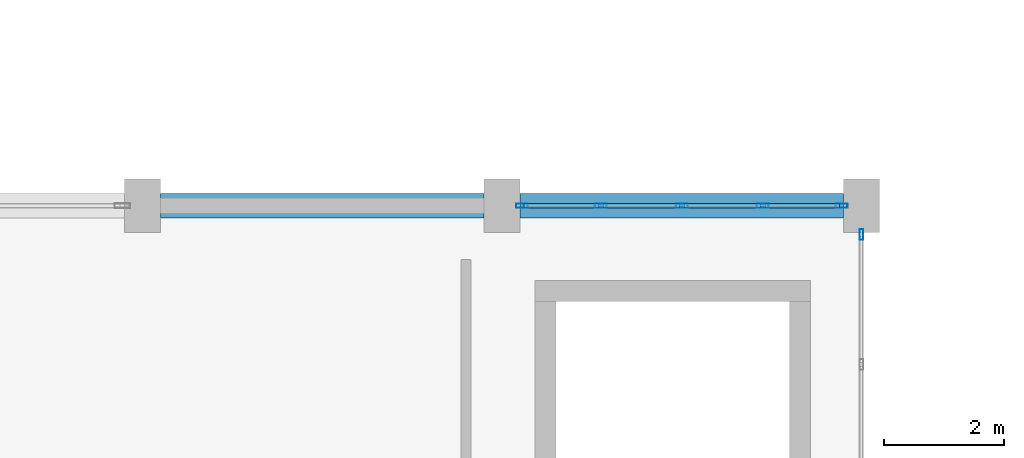
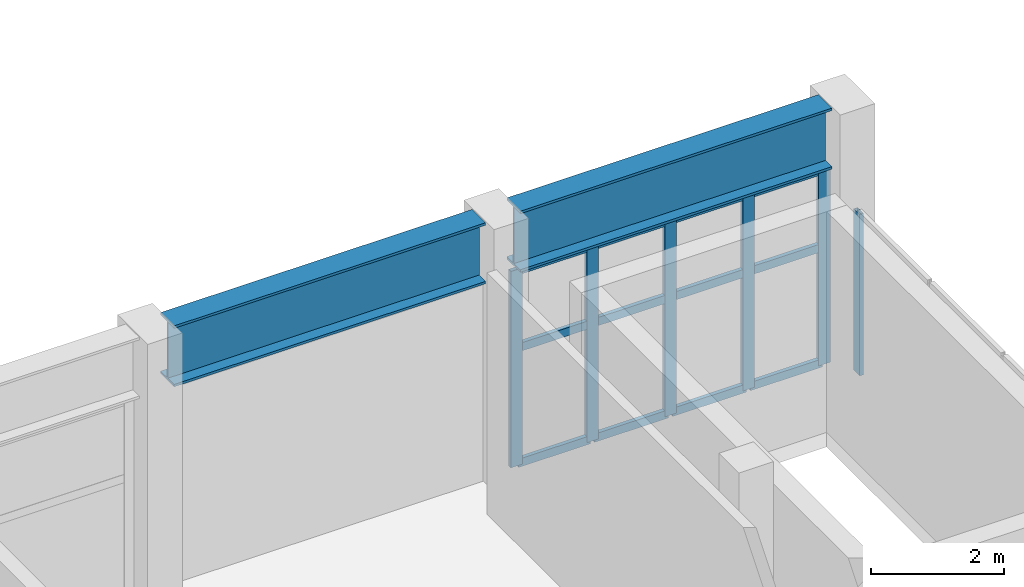
# One storey, part 25 of 62: 18 members, 2 beams, 2 elements without a shape of their own.
"""IFC4 building model written with IfcOpenShell, lengths in metres."""

from ifc_helpers import new_model, si_unit, direction, frame, origin, origin_2d, place, context, subcontext, project, spatial, hollow_rectangle, i_section, extrude, material, layer, layer_set, material_profile, profile_set, type_object, element, aggregate, save


model = new_model("IFC4")

# Units and contexts
model_context = context("Model", 3, precision=1e-05, world=origin(), true_north=direction((0.0, 1.0)))
body_context = subcontext(model_context, "Body", "Model", "MODEL_VIEW")
ifc_project = project(units=[si_unit("LENGTHUNIT", "METRE"), si_unit("AREAUNIT", "SQUARE_METRE"), si_unit("VOLUMEUNIT", "CUBIC_METRE"), si_unit("PLANEANGLEUNIT", "RADIAN"), si_unit("MASSUNIT", "GRAM", prefix="KILO")], contexts=[model_context])

# Site, building, storey
site_placement = place(None, origin())
site = spatial("IfcSite", under=ifc_project, at=site_placement, CompositionType="ELEMENT")
building_placement = place(site_placement, origin())
building = spatial("IfcBuilding", under=site, at=building_placement, Name="Vaelkrest Opera House", CompositionType="ELEMENT")
storey_placement = place(building_placement, frame((0.0, 0.0, 19.800048828125)))
storey = spatial("IfcBuildingStorey", under=building, at=storey_placement, Name="L04", CompositionType="ELEMENT", Elevation=19.800048828125)

# Curtain wall, member
ifc_material_1 = material(Name="Dark bronze anodized aluminium", Category="aluminium")
ifc_layer_1 = layer(ifc_material_1, 0.219970703125)
ifc_layer_set_1 = layer_set([ifc_layer_1], Name="Dark bronze anodized aluminium")
curtain_wall_type_1 = type_object("IfcCurtainWallType", Name="CW05", PredefinedType="NOTDEFINED", material=ifc_layer_set_1)
curtain_wall_1_placement = place(storey_placement, origin())
curtain_wall_1 = element("IfcCurtainWall", 1, at=curtain_wall_1_placement, inside=storey, type_object=curtain_wall_type_1, Name="Curtain wall CW-L04-147", PredefinedType="NOTDEFINED")
ifc_material_profile_1 = material_profile(ifc_material_1, hollow_rectangle(XDim=0.06494140625, YDim=0.179931640625, WallThickness=0.00390625, at=origin_2d()), Name="CWM65X180")
ifc_profile_set_1 = profile_set([ifc_material_profile_1], Name="Dark bronze anodized aluminium")
member_type_1 = type_object("IfcMemberType", Name="CWM01", PredefinedType="MULLION", material=ifc_profile_set_1)
member_1_placement = place(storey_placement, frame((-33.60009765625, 17.219482421875, 0.0), z_axis=(0.0, 0.0, 1.0), x_axis=(1.0, 0.0, 0.0)))
member_1 = element("IfcMember", 2, at=member_1_placement, type_object=member_type_1, Name="CW05 mullion 1", PredefinedType="MULLION", context=body_context, shape_type="SweptSolid", body=[
    extrude(hollow_rectangle(XDim=0.06494140625, YDim=0.179931640625, WallThickness=0.00390625, at=origin_2d()), origin(), (0.0, 0.0, 1.0), 2.9580078125),
])
aggregate(curtain_wall_1, [member_1])

# Curtain wall, members
ifc_layer_2 = layer(ifc_material_1, 0.18994140625)
ifc_layer_set_2 = layer_set([ifc_layer_2], Name="Dark bronze anodized aluminium")
curtain_wall_type_2 = type_object("IfcCurtainWallType", Name="CW02", PredefinedType="NOTDEFINED", material=ifc_layer_set_2)
curtain_wall_2_placement = place(storey_placement, origin())
curtain_wall_2 = element("IfcCurtainWall", 3, at=curtain_wall_2_placement, inside=storey, type_object=curtain_wall_type_2, Name="Curtain wall CW-L04-146", PredefinedType="NOTDEFINED")
ifc_material_profile_2 = material_profile(ifc_material_1, hollow_rectangle(XDim=0.070068359375, YDim=0.199951171875, WallThickness=0.004150390625, at=origin_2d()), Name="CWM70X200")
ifc_profile_set_2 = profile_set([ifc_material_profile_2], Name="Dark bronze anodized aluminium")
member_type_2 = type_object("IfcMemberType", Name="CWM02", PredefinedType="MULLION", material=ifc_profile_set_2)
member_2_placement = place(storey_placement, frame((-39.26708984375, 17.699951171875, 0.0), z_axis=(0.0, 0.0, 1.0), x_axis=(0.0, 1.0, 0.0)))
member_2 = element("IfcMember", 4, at=member_2_placement, type_object=member_type_2, Name="CW02 mullion 1", PredefinedType="MULLION", context=body_context, shape_type="SweptSolid", body=[
    extrude(hollow_rectangle(XDim=0.070068359375, YDim=0.199951171875, WallThickness=0.004150390625, at=origin_2d()), origin(), (0.0, 0.0, 1.0), 3.596923828125),
])
member_3_placement = place(storey_placement, frame((-37.950927734375, 17.699951171875, 0.0), z_axis=(0.0, 0.0, 1.0), x_axis=(0.0, 1.0, 0.0)))
member_3 = element("IfcMember", 5, at=member_3_placement, type_object=member_type_2, Name="CW02 mullion 2", PredefinedType="MULLION", context=body_context, shape_type="SweptSolid", body=[
    extrude(hollow_rectangle(XDim=0.070068359375, YDim=0.199951171875, WallThickness=0.004150390625, at=origin_2d()), origin(), (0.0, 0.0, 1.0), 3.596923828125),
])
member_4_placement = place(storey_placement, frame((-36.60009765625, 17.699951171875, 0.0), z_axis=(0.0, 0.0, 1.0), x_axis=(0.0, 1.0, 0.0)))
member_4 = element("IfcMember", 6, at=member_4_placement, type_object=member_type_2, Name="CW02 mullion 3", PredefinedType="MULLION", context=body_context, shape_type="SweptSolid", body=[
    extrude(hollow_rectangle(XDim=0.070068359375, YDim=0.199951171875, WallThickness=0.004150390625, at=origin_2d()), origin(), (0.0, 0.0, 1.0), 3.596923828125),
])
member_5_placement = place(storey_placement, frame((-35.2490234375, 17.699951171875, 0.0), z_axis=(0.0, 0.0, 1.0), x_axis=(0.0, 1.0, 0.0)))
member_5 = element("IfcMember", 7, at=member_5_placement, type_object=member_type_2, Name="CW02 mullion 4", PredefinedType="MULLION", context=body_context, shape_type="SweptSolid", body=[
    extrude(hollow_rectangle(XDim=0.070068359375, YDim=0.199951171875, WallThickness=0.004150390625, at=origin_2d()), origin(), (0.0, 0.0, 1.0), 3.596923828125),
])
member_6_placement = place(storey_placement, frame((-33.93310546875, 17.699951171875, 0.0), z_axis=(0.0, 0.0, 1.0), x_axis=(0.0, 1.0, 0.0)))
member_6 = element("IfcMember", 8, at=member_6_placement, type_object=member_type_2, Name="CW02 mullion 5", PredefinedType="MULLION", context=body_context, shape_type="SweptSolid", body=[
    extrude(hollow_rectangle(XDim=0.070068359375, YDim=0.199951171875, WallThickness=0.004150390625, at=origin_2d()), origin(), (0.0, 0.0, 1.0), 3.596923828125),
])
ifc_material_profile_3 = material_profile(ifc_material_1, hollow_rectangle(XDim=0.070068359375, YDim=0.14990234375, WallThickness=0.004150390625, at=origin_2d()), Name="CWT70X150")
ifc_profile_set_3 = profile_set([ifc_material_profile_3], Name="Dark bronze anodized aluminium")
member_type_3 = type_object("IfcMemberType", Name="CWT02", PredefinedType="USERDEFINED", material=ifc_profile_set_3)
member_7_placement = place(storey_placement, frame((-39.23193359375, 17.699951171875, 0.034912109375), z_axis=(1.0, 0.0, 0.0), x_axis=(0.0, 1.0, 0.0)))
member_7 = element("IfcMember", 9, at=member_7_placement, type_object=member_type_3, Name="CW02 transom 1.1", ObjectType="TRANSOM", PredefinedType="USERDEFINED", context=body_context, shape_type="SweptSolid", body=[
    extrude(hollow_rectangle(XDim=0.070068359375, YDim=0.14990234375, WallThickness=0.004150390625, at=origin_2d()), origin(), (0.0, 0.0, 1.0), 1.245849609375),
])
member_8_placement = place(storey_placement, frame((-39.23193359375, 17.699951171875, 2.14990234375), z_axis=(1.0, 0.0, 0.0), x_axis=(0.0, 1.0, 0.0)))
member_8 = element("IfcMember", 10, at=member_8_placement, type_object=member_type_3, Name="CW02 transom 1.2", ObjectType="TRANSOM", PredefinedType="USERDEFINED", context=body_context, shape_type="SweptSolid", body=[
    extrude(hollow_rectangle(XDim=0.070068359375, YDim=0.14990234375, WallThickness=0.004150390625, at=origin_2d()), origin(), (0.0, 0.0, 1.0), 1.245849609375),
])
member_9_placement = place(storey_placement, frame((-39.23193359375, 17.699951171875, 3.56201171875), z_axis=(1.0, 0.0, 0.0), x_axis=(0.0, 1.0, 0.0)))
member_9 = element("IfcMember", 11, at=member_9_placement, type_object=member_type_3, Name="CW02 transom 1.3", ObjectType="TRANSOM", PredefinedType="USERDEFINED", context=body_context, shape_type="SweptSolid", body=[
    extrude(hollow_rectangle(XDim=0.070068359375, YDim=0.14990234375, WallThickness=0.004150390625, at=origin_2d()), origin(), (0.0, 0.0, 1.0), 1.245849609375),
])
member_10_placement = place(storey_placement, frame((-37.916015625, 17.699951171875, 0.034912109375), z_axis=(1.0, 0.0, 0.0), x_axis=(0.0, 1.0, 0.0)))
member_10 = element("IfcMember", 12, at=member_10_placement, type_object=member_type_3, Name="CW02 transom 2.1", ObjectType="TRANSOM", PredefinedType="USERDEFINED", context=body_context, shape_type="SweptSolid", body=[
    extrude(hollow_rectangle(XDim=0.070068359375, YDim=0.14990234375, WallThickness=0.004150390625, at=origin_2d()), origin(), (0.0, 0.0, 1.0), 1.281005859375),
])
member_11_placement = place(storey_placement, frame((-37.916015625, 17.699951171875, 2.14990234375), z_axis=(1.0, 0.0, 0.0), x_axis=(0.0, 1.0, 0.0)))
member_11 = element("IfcMember", 13, at=member_11_placement, type_object=member_type_3, Name="CW02 transom 2.2", ObjectType="TRANSOM", PredefinedType="USERDEFINED", context=body_context, shape_type="SweptSolid", body=[
    extrude(hollow_rectangle(XDim=0.070068359375, YDim=0.14990234375, WallThickness=0.004150390625, at=origin_2d()), origin(), (0.0, 0.0, 1.0), 1.281005859375),
])
member_12_placement = place(storey_placement, frame((-37.916015625, 17.699951171875, 3.56201171875), z_axis=(1.0, 0.0, 0.0), x_axis=(0.0, 1.0, 0.0)))
member_12 = element("IfcMember", 14, at=member_12_placement, type_object=member_type_3, Name="CW02 transom 2.3", ObjectType="TRANSOM", PredefinedType="USERDEFINED", context=body_context, shape_type="SweptSolid", body=[
    extrude(hollow_rectangle(XDim=0.070068359375, YDim=0.14990234375, WallThickness=0.004150390625, at=origin_2d()), origin(), (0.0, 0.0, 1.0), 1.281005859375),
])
member_13_placement = place(storey_placement, frame((-36.56494140625, 17.699951171875, 0.034912109375), z_axis=(1.0, 0.0, 0.0), x_axis=(0.0, 1.0, 0.0)))
member_13 = element("IfcMember", 15, at=member_13_placement, type_object=member_type_3, Name="CW02 transom 3.1", ObjectType="TRANSOM", PredefinedType="USERDEFINED", context=body_context, shape_type="SweptSolid", body=[
    extrude(hollow_rectangle(XDim=0.070068359375, YDim=0.14990234375, WallThickness=0.004150390625, at=origin_2d()), origin(), (0.0, 0.0, 1.0), 1.281005859375),
])
member_14_placement = place(storey_placement, frame((-36.56494140625, 17.699951171875, 2.14990234375), z_axis=(1.0, 0.0, 0.0), x_axis=(0.0, 1.0, 0.0)))
member_14 = element("IfcMember", 16, at=member_14_placement, type_object=member_type_3, Name="CW02 transom 3.2", ObjectType="TRANSOM", PredefinedType="USERDEFINED", context=body_context, shape_type="SweptSolid", body=[
    extrude(hollow_rectangle(XDim=0.070068359375, YDim=0.14990234375, WallThickness=0.004150390625, at=origin_2d()), origin(), (0.0, 0.0, 1.0), 1.281005859375),
])
member_15_placement = place(storey_placement, frame((-36.56494140625, 17.699951171875, 3.56201171875), z_axis=(1.0, 0.0, 0.0), x_axis=(0.0, 1.0, 0.0)))
member_15 = element("IfcMember", 17, at=member_15_placement, type_object=member_type_3, Name="CW02 transom 3.3", ObjectType="TRANSOM", PredefinedType="USERDEFINED", context=body_context, shape_type="SweptSolid", body=[
    extrude(hollow_rectangle(XDim=0.070068359375, YDim=0.14990234375, WallThickness=0.004150390625, at=origin_2d()), origin(), (0.0, 0.0, 1.0), 1.281005859375),
])
member_16_placement = place(storey_placement, frame((-35.214111328125, 17.699951171875, 0.034912109375), z_axis=(1.0, 0.0, 0.0), x_axis=(0.0, 1.0, 0.0)))
member_16 = element("IfcMember", 18, at=member_16_placement, type_object=member_type_3, Name="CW02 transom 4.1", ObjectType="TRANSOM", PredefinedType="USERDEFINED", context=body_context, shape_type="SweptSolid", body=[
    extrude(hollow_rectangle(XDim=0.070068359375, YDim=0.14990234375, WallThickness=0.004150390625, at=origin_2d()), origin(), (0.0, 0.0, 1.0), 1.24609375),
])
member_17_placement = place(storey_placement, frame((-35.214111328125, 17.699951171875, 2.14990234375), z_axis=(1.0, 0.0, 0.0), x_axis=(0.0, 1.0, 0.0)))
member_17 = element("IfcMember", 19, at=member_17_placement, type_object=member_type_3, Name="CW02 transom 4.2", ObjectType="TRANSOM", PredefinedType="USERDEFINED", context=body_context, shape_type="SweptSolid", body=[
    extrude(hollow_rectangle(XDim=0.070068359375, YDim=0.14990234375, WallThickness=0.004150390625, at=origin_2d()), origin(), (0.0, 0.0, 1.0), 1.24609375),
])
member_18_placement = place(storey_placement, frame((-35.214111328125, 17.699951171875, 3.56201171875), z_axis=(1.0, 0.0, 0.0), x_axis=(0.0, 1.0, 0.0)))
member_18 = element("IfcMember", 20, at=member_18_placement, type_object=member_type_3, Name="CW02 transom 4.3", ObjectType="TRANSOM", PredefinedType="USERDEFINED", context=body_context, shape_type="SweptSolid", body=[
    extrude(hollow_rectangle(XDim=0.070068359375, YDim=0.14990234375, WallThickness=0.004150390625, at=origin_2d()), origin(), (0.0, 0.0, 1.0), 1.24609375),
])
aggregate(curtain_wall_2, [member_2, member_3, member_4, member_5, member_6, member_7, member_8, member_9, member_10, member_11, member_12, member_13, member_14, member_15, member_16, member_17, member_18])

# Beams
ifc_material_2 = material(Name="Steel A992 Gr50", Category="steel")
ifc_material_profile_4 = material_profile(ifc_material_2, i_section(OverallWidth=0.405029296875, OverallDepth=1.117919921875, WebThickness=0.02587890625, FlangeThickness=0.044921875, at=origin_2d()), Name="W44X335")
ifc_profile_set_4 = profile_set([ifc_material_profile_4], Name="Steel A992 Gr50")
beam_type = type_object("IfcBeamType", Name="SP05", PredefinedType="SPANDREL", material=ifc_profile_set_4)
for number, where, z_axis, x_axis, name in (
    (21, (-45.300048828125, 17.699951171875, 4.220947265625), (1.0, 0.0, 0.0), (0.0, 1.0, 0.0), "Beam BM-V3-L04-1815"),
    (22, (-39.300048828125, 17.699951171875, 4.220947265625), (1.0, 0.0, 0.0), (0.0, 1.0, 0.0), "Beam BM-V3-L04-1816"),
):
    element("IfcBeam", number, at=place(storey_placement, frame(where, z_axis=z_axis, x_axis=x_axis)), inside=storey, type_object=beam_type, Name=name, PredefinedType="SPANDREL", context=body_context, shape_type="SweptSolid", body=[
        extrude(i_section(OverallWidth=0.405029296875, OverallDepth=1.117919921875, WebThickness=0.02587890625, FlangeThickness=0.044921875, at=origin_2d()), origin(), (0.0, 0.0, 1.0), 5.400146484375),
    ])

save(model, "model.ifc")
